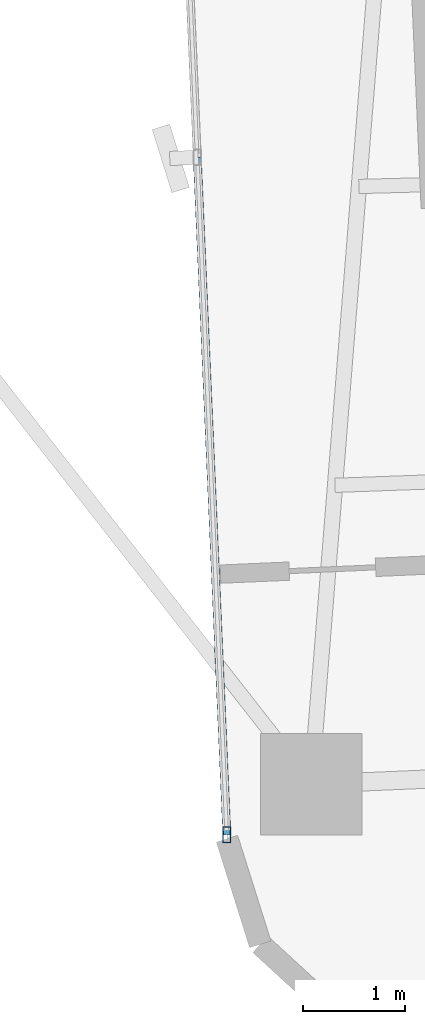
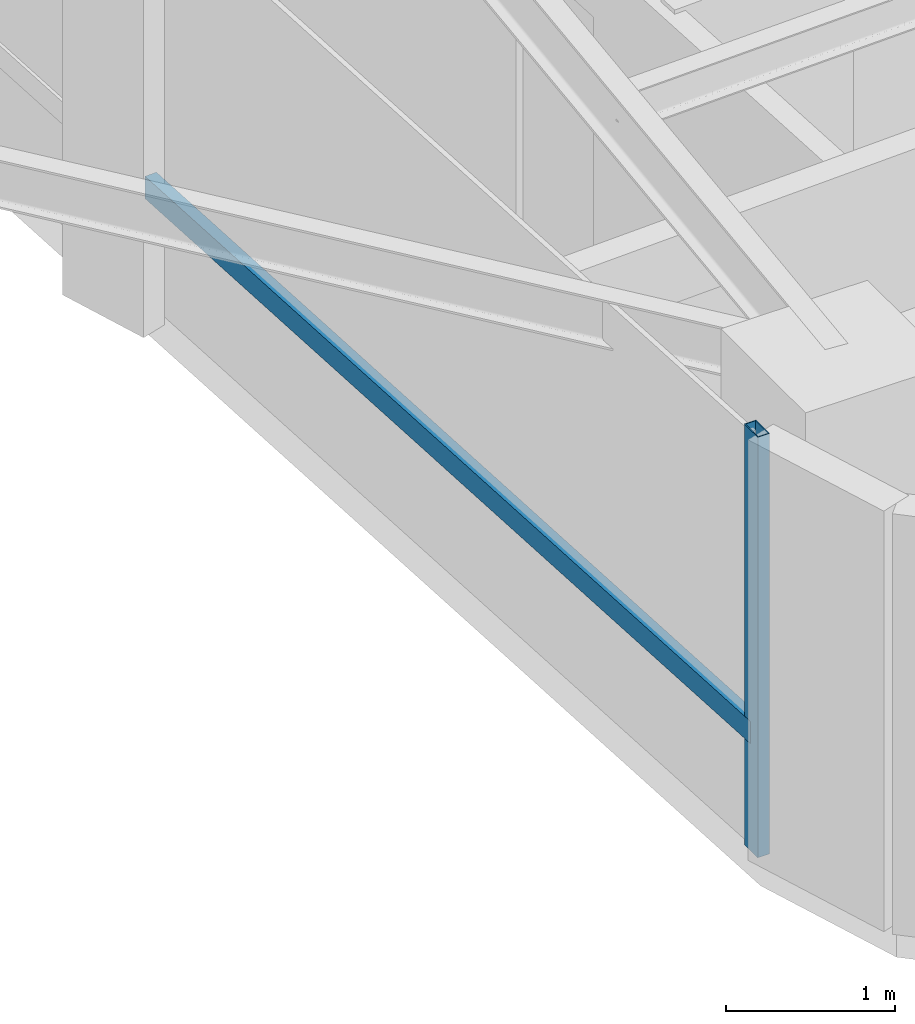
# One storey, part 2 of 26: 2 members, 1 element without a shape of its own.
"""IFC4 building model written with IfcOpenShell, lengths in metres."""

from ifc_helpers import new_model, si_unit, direction, frame, origin, origin_2d, place, context, subcontext, project, spatial, hollow_rectangle, extrude, source, transform, mapped, material, material_profile, profile_set, type_object, element, aggregate, save


model = new_model("IFC4")

# Units and contexts
model_context = context("Model", 3, precision=1e-05, world=origin(), true_north=direction((0.0, 1.0)))
body_context = subcontext(model_context, "Body", "Model", "MODEL_VIEW")
ifc_project = project(units=[si_unit("LENGTHUNIT", "METRE"), si_unit("AREAUNIT", "SQUARE_METRE"), si_unit("VOLUMEUNIT", "CUBIC_METRE"), si_unit("PLANEANGLEUNIT", "RADIAN"), si_unit("MASSUNIT", "GRAM", prefix="KILO")], contexts=[model_context])

# Site, building, storey
site_placement = place(None, origin())
site = spatial("IfcSite", under=ifc_project, at=site_placement, CompositionType="ELEMENT")
building_placement = place(site_placement, origin())
building = spatial("IfcBuilding", under=site, at=building_placement, Name="Sahyath Konkavel Grand Hotel", CompositionType="ELEMENT")
storey_placement = place(building_placement, frame((0.0, 0.0, 134.89990234375)))
storey = spatial("IfcBuildingStorey", under=building, at=storey_placement, Name="L37", CompositionType="ELEMENT", Elevation=134.89990234375)

# Curtain wall, members
ifc_material_1 = material(Name="Anodised Bronze Aluminium & Low-E Glazing", Category="aluminium")
curtain_wall_type = type_object("IfcCurtainWallType", Name="CW-ZONE2", PredefinedType="NOTDEFINED", material=ifc_material_1)
curtain_wall_placement = place(storey_placement, origin())
curtain_wall = element("IfcCurtainWall", 1, at=curtain_wall_placement, inside=storey, type_object=curtain_wall_type, Name="L37 Unitised Curtain Wall F24", PredefinedType="NOTDEFINED")
ifc_material_2 = material(Name="Anodised Bronze Aluminium", Category="aluminium")
ifc_material_profile_1 = material_profile(ifc_material_2, hollow_rectangle(XDim=0.080078125, YDim=0.159912109375, WallThickness=0.006103515625, at=origin_2d()), Name="RHS 160x80x6")
ifc_profile_set_1 = profile_set([ifc_material_profile_1], Name="Anodised Bronze Aluminium")
member_type_1 = type_object("IfcMemberType", Name="CW-MUL-160", PredefinedType="MULLION", material=ifc_profile_set_1)
shared_shape_1 = source(origin(), body_context, "Body", "SweptSolid", [
    extrude(hollow_rectangle(XDim=0.080078125, YDim=0.159912109375, WallThickness=0.006103515625, at=origin_2d()), origin(), (0.0, 0.0, 1.0), 3.030029296875),
])
member_1_placement = place(storey_placement, frame((-5.605224609375, -22.92626953125, 0.0), z_axis=(0.0, 0.0, 1.0), x_axis=(1.0, 0.0, 0.0)))
member_1 = element("IfcMember", 2, at=member_1_placement, type_object=member_type_1, Name="L37 Curtain Wall Mullion F24-2", PredefinedType="MULLION", context=body_context, shape_type="MappedRepresentation", body=[
    mapped(shared_shape_1, transform((0.0, 0.0, 0.0), scale=1.0)),
])
ifc_material_profile_2 = material_profile(ifc_material_2, hollow_rectangle(XDim=0.080078125, YDim=0.159912109375, WallThickness=0.006103515625, at=origin_2d()), Name="RHS 160x80x6")
ifc_profile_set_2 = profile_set([ifc_material_profile_2], Name="Anodised Bronze Aluminium")
member_type_2 = type_object("IfcMemberType", Name="CW-TRN-160", PredefinedType="USERDEFINED", material=ifc_profile_set_2)
shared_shape_2 = source(origin(), body_context, "Body", "SweptSolid", [
    extrude(hollow_rectangle(XDim=0.080078125, YDim=0.159912109375, WallThickness=0.006103515625, at=origin_2d()), origin(), (0.0, 0.0, 1.0), 6.659912109375),
])
member_2_placement = place(storey_placement, frame((-5.895751953125, -16.272705078125, 0.85009765625), z_axis=(0.043623350741, -0.999048048529, 0.0), x_axis=(0.999048048529, 0.043623350741, 0.0)))
member_2 = element("IfcMember", 3, at=member_2_placement, type_object=member_type_2, Name="L37 Curtain Wall Transom F24-1-spandrel", ObjectType="TRANSOM", PredefinedType="USERDEFINED", context=body_context, shape_type="MappedRepresentation", body=[
    mapped(shared_shape_2, transform((0.0, 0.0, 0.0), scale=1.0)),
])
aggregate(curtain_wall, [member_1, member_2])

save(model, "model.ifc")
